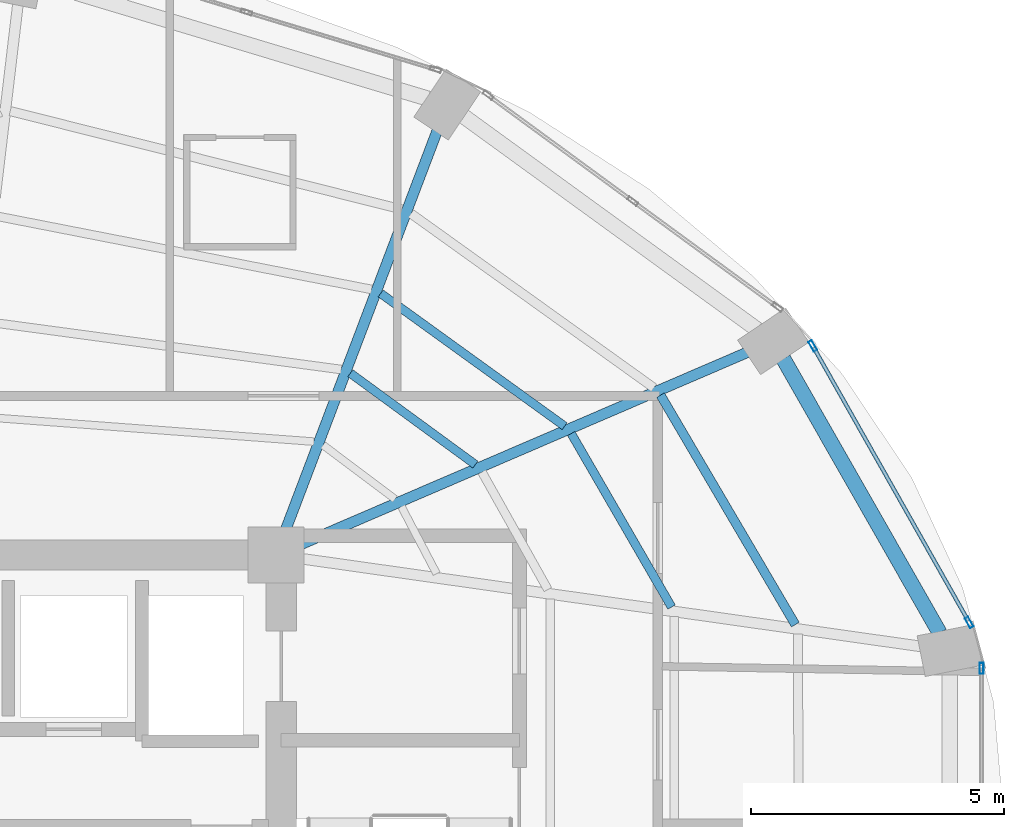
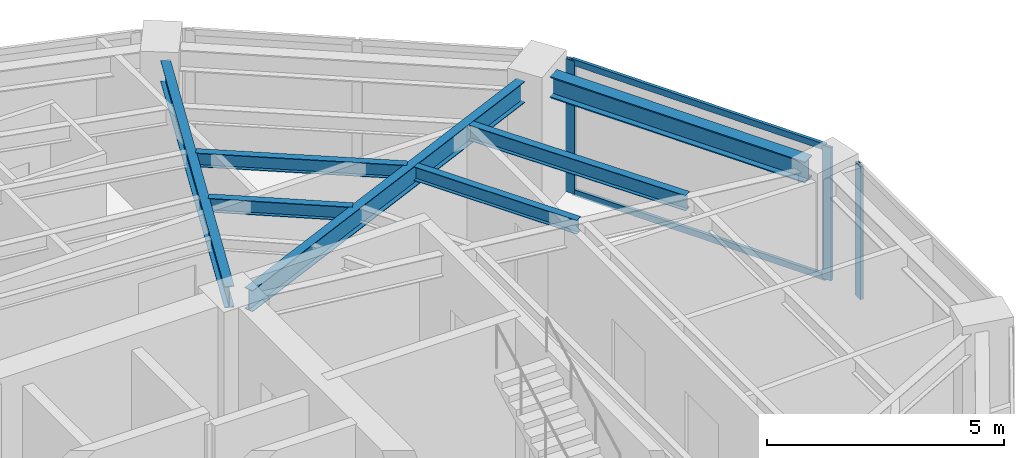
# One storey, part 11 of 20: 7 beams, 5 members, 2 elements without a shape of their own.
"""IFC4 building model written with IfcOpenShell, lengths in metres."""

import ifcopenshell
import ifcopenshell.guid

model = None  # the IFC model being written
_history = None  # IfcOwnerHistory: only IFC2X3 demands one
_inside = {}  # id of a spatial element -> (the spatial element, [elements in it])
_under = {}  # id of a project, library or spatial element -> (it, [spatial elements below it])
_declared = {}  # id of a project -> (the project, [libraries it declares])
_typed = {}  # id of a type object -> (the type object, [elements of that type])
_made_of = {}  # id of a material, layer set ... -> (it, [elements and type objects made of it])


def new_model(schema):
    """Start an empty IFC model of exactly this schema.

    Asked for "IFC4X3", IfcOpenShell would pick the latest addendum, in which some entities
    have other attributes; the version numbers below select the first issue.
    IFC2X3 requires an IfcOwnerHistory on every rooted entity: one is made here for all.
    """
    global model, _history
    if schema == "IFC4X3":
        model = ifcopenshell.file(schema_version=(4, 3, 0, 0))
    else:
        model = ifcopenshell.file(schema=schema)
    _inside.clear()
    _under.clear()
    _declared.clear()
    _typed.clear()
    _made_of.clear()
    _history = None
    if model.schema == "IFC2X3":
        org = make("IfcOrganization", Name="unknown")
        user = make(
            "IfcPersonAndOrganization",
            ThePerson=make("IfcPerson", FamilyName="unknown"),
            TheOrganization=org,
        )
        app = make(
            "IfcApplication",
            ApplicationDeveloper=org,
            Version="unknown",
            ApplicationFullName="unknown",
            ApplicationIdentifier="unknown",
        )
        _history = make(
            "IfcOwnerHistory",
            OwningUser=user,
            OwningApplication=app,
            ChangeAction="ADDED",
            CreationDate=0,
        )
    return model


def make(cls, **values):
    """One entity of the class cls with the attributes given. An attribute that is None is left unset."""
    return model.create_entity(
        cls, **{name: value for name, value in values.items() if value is not None}
    )


def rooted(cls, **values):
    """An entity with a GlobalId (a new one), such as an element, a storey or a relation."""
    return make(cls, GlobalId=ifcopenshell.guid.new(), OwnerHistory=_history, **values)


def si_unit(unit_type, name, prefix=None):
    """IfcSIUnit, for example si_unit("LENGTHUNIT", "METRE", prefix="MILLI")."""
    return make("IfcSIUnit", UnitType=unit_type, Prefix=prefix, Name=name)


def assignment(units):
    """IfcUnitAssignment: the units of a project."""
    return None if units is None else make("IfcUnitAssignment", Units=units)


def point(xyz):
    """IfcCartesianPoint."""
    return None if xyz is None else make("IfcCartesianPoint", Coordinates=xyz)


def direction(xyz):
    """IfcDirection."""
    return None if xyz is None else make("IfcDirection", DirectionRatios=xyz)


def frame(location, z_axis=None, x_axis=None):
    """IfcAxis2Placement3D, a coordinate frame: its origin and axes. An axis left out is left unset."""
    return make(
        "IfcAxis2Placement3D",
        Location=point(location),
        Axis=direction(z_axis),
        RefDirection=direction(x_axis),
    )


def frame_2d(location, x_axis=None):
    """IfcAxis2Placement2D, a coordinate frame in the plane: its origin and x axis."""
    return make(
        "IfcAxis2Placement2D", Location=point(location), RefDirection=direction(x_axis)
    )


def origin():
    """The frame at (0, 0, 0) with its axes left unset."""
    return frame((0.0, 0.0, 0.0))


def origin_2d():
    """The frame at (0, 0) in the plane with its x axis left unset."""
    return frame_2d((0.0, 0.0))


def place(relative_to, where):
    """IfcLocalPlacement: puts the frame where relative to a parent placement (None: the world)."""
    return make(
        "IfcLocalPlacement", PlacementRelTo=relative_to, RelativePlacement=where
    )


def context(
    kind, dimensions, precision=None, world=None, true_north=None, identifier=None
):
    """IfcGeometricRepresentationContext, for example the 3D "Model" context."""
    return make(
        "IfcGeometricRepresentationContext",
        ContextIdentifier=identifier,
        ContextType=kind,
        CoordinateSpaceDimension=dimensions,
        Precision=precision,
        WorldCoordinateSystem=world,
        TrueNorth=true_north,
    )


def subcontext(parent, identifier, kind, view, scale=None):
    """IfcGeometricRepresentationSubContext, for example "Body" below "Model"."""
    return make(
        "IfcGeometricRepresentationSubContext",
        ContextIdentifier=identifier,
        ContextType=kind,
        ParentContext=parent,
        TargetScale=scale,
        TargetView=view,
    )


def project(units=None, contexts=None):
    """IfcProject with its units and contexts."""
    return rooted(
        "IfcProject",
        Name="project",
        RepresentationContexts=contexts,
        UnitsInContext=assignment(units),
    )


def spatial(cls, under=None, at=None, **own):
    """A site, building, storey or space (cls), placed at a placement, below another one or the project."""
    s = rooted(cls, ObjectPlacement=at, **own)
    if under is not None:
        _under.setdefault(under.id(), (under, []))[1].append(s)
    return s


def profile(cls, at=None, kind="AREA", **sizes):
    """A parametric profile (cls). Its sizes go by their IFC names, for example OverallWidth=200.0."""
    return make(cls, ProfileType=kind, Position=at, **sizes)


def hollow_rectangle(**sizes):
    """IfcRectangleHollowProfileDef."""
    return profile("IfcRectangleHollowProfileDef", **sizes)


def i_section(**sizes):
    """IfcIShapeProfileDef."""
    return profile("IfcIShapeProfileDef", **sizes)


def extrude(swept, where, along, depth):
    """IfcExtrudedAreaSolid: the profile swept, set in the frame where, extruded along a direction by depth."""
    return make(
        "IfcExtrudedAreaSolid",
        SweptArea=swept,
        Position=where,
        ExtrudedDirection=direction(along),
        Depth=depth,
    )


def shape(context_of_items, identifier, shape_type, items):
    """IfcShapeRepresentation: the items that make up one representation, for example the "Body"."""
    return make(
        "IfcShapeRepresentation",
        ContextOfItems=context_of_items,
        RepresentationIdentifier=identifier,
        RepresentationType=shape_type,
        Items=items,
    )


def material(Name=None, Category=None):
    """IfcMaterial."""
    return make("IfcMaterial", Name=Name, Category=Category)


def layer(
    of_material, thickness, ventilated=None, Name=None, Category=None, Priority=None
):
    """IfcMaterialLayer: one layer of a wall or slab, of a material (None: an air gap)."""
    return make(
        "IfcMaterialLayer",
        Material=of_material,
        LayerThickness=thickness,
        IsVentilated=ventilated,
        Name=Name,
        Category=Category,
        Priority=Priority,
    )


def layer_set(layers, Name=None):
    """IfcMaterialLayerSet."""
    return make("IfcMaterialLayerSet", MaterialLayers=layers, LayerSetName=Name)


def material_profile(
    of_material, cross_section, Name=None, Category=None, Priority=None
):
    """IfcMaterialProfile: a cross section and its material."""
    return make(
        "IfcMaterialProfile",
        Name=Name,
        Material=of_material,
        Profile=cross_section,
        Priority=Priority,
        Category=Category,
    )


def profile_set(profiles, Name=None, composite=None):
    """IfcMaterialProfileSet."""
    return make(
        "IfcMaterialProfileSet",
        Name=Name,
        MaterialProfiles=profiles,
        CompositeProfile=composite,
    )


def made_of(thing, what):
    """Note that an element or type object is made of a material, layer set ...; save() writes the relation."""
    if what is not None:
        _made_of.setdefault(what.id(), (what, []))[1].append(thing)
    return thing


def type_object(cls, material=None, **own):
    """A type object (cls), such as IfcWallType, which elements share."""
    return made_of(rooted(cls, **own), material)


def element(
    cls,
    number,
    at=None,
    inside=None,
    cuts=None,
    type_object=None,
    material=None,
    context=None,
    identifier="Body",
    shape_type=None,
    held_by="IfcProductDefinitionShape",
    body=None,
    shapes=None,
    **own,
):
    """One element of the class cls, such as IfcWall. Its Tag is "e" and its number.

    at: its placement. inside: the storey or other place that contains it. cuts: it is an
    opening in that element (IfcRelVoidsElement). A single representation is given by context,
    identifier, shape_type and body (its items); several are given by shapes. held_by: the class
    of the entity that holds the representations. save() writes the other relations.
    """
    e = rooted(cls, Tag="e%d" % number, ObjectPlacement=at, **own)
    if body is not None:
        shapes = [shape(context, identifier, shape_type, body)]
    if shapes is not None:
        e.Representation = make(held_by, Representations=shapes)
    if inside is not None:
        _inside.setdefault(inside.id(), (inside, []))[1].append(e)
    if cuts is not None:
        rooted(
            "IfcRelVoidsElement", RelatingBuildingElement=cuts, RelatedOpeningElement=e
        )
    if type_object is not None:
        _typed.setdefault(type_object.id(), (type_object, []))[1].append(e)
    return made_of(e, material)


def aggregate(whole, parts):
    """IfcRelAggregates: a whole, such as a stair, and the parts it consists of."""
    return rooted("IfcRelAggregates", RelatingObject=whole, RelatedObjects=parts)


def save(model, path):
    """Write the relations noted so far, then the file.

    IfcRelAggregates (storeys below a building ...), IfcRelContainedInSpatialStructure (elements
    in a storey), IfcRelDefinesByType, IfcRelAssociatesMaterial and IfcRelDeclares: one each for
    every whole, place, type object, material and project.
    """
    for whole, parts in _under.values():
        aggregate(whole, parts)
    for where, things in _inside.values():
        rooted(
            "IfcRelContainedInSpatialStructure",
            RelatedElements=things,
            RelatingStructure=where,
        )
    for kind, things in _typed.values():
        rooted("IfcRelDefinesByType", RelatedObjects=things, RelatingType=kind)
    for what, things in _made_of.values():
        rooted("IfcRelAssociatesMaterial", RelatedObjects=things, RelatingMaterial=what)
    for by, libraries in _declared.values():
        rooted("IfcRelDeclares", RelatingContext=by, RelatedDefinitions=libraries)
    model.write(path)


model = new_model("IFC4")

# Units and contexts
model_context = context("Model", 3, precision=1e-05, world=origin(), true_north=direction((0.0, 1.0)))
body_context = subcontext(model_context, "Body", "Model", "MODEL_VIEW")
ifc_project = project(units=[si_unit("LENGTHUNIT", "METRE"), si_unit("AREAUNIT", "SQUARE_METRE"), si_unit("VOLUMEUNIT", "CUBIC_METRE"), si_unit("PLANEANGLEUNIT", "RADIAN"), si_unit("MASSUNIT", "GRAM", prefix="KILO")], contexts=[model_context])

# Site, building, storey
site_placement = place(None, origin())
site = spatial("IfcSite", under=ifc_project, at=site_placement, CompositionType="ELEMENT")
building_placement = place(site_placement, origin())
building = spatial("IfcBuilding", under=site, at=building_placement, Name="Lazwardi Medical Tower", CompositionType="ELEMENT")
storey_placement = place(building_placement, frame((0.0, 0.0, 141.93603515625)))
storey = spatial("IfcBuildingStorey", under=building, at=storey_placement, Name="L36", CompositionType="ELEMENT", Elevation=141.93603515625)

# Beams
ifc_material_1 = material(Name="Steel S355", Category="steel")
ifc_material_profile_1 = material_profile(ifc_material_1, i_section(OverallWidth=0.300048828125, OverallDepth=0.550048828125, WebThickness=0.014892578125, FlangeThickness=0.029052734375, at=origin_2d()), Name="HEB 550")
ifc_profile_set_1 = profile_set([ifc_material_profile_1], Name="Steel S355")
beam_type_1 = type_object("IfcBeamType", Name="BM-RB-Z3", PredefinedType="BEAM", material=ifc_profile_set_1)
beam_1_placement = place(storey_placement, frame((58.727783203125, 34.05908203125, 3.153076171875), z_axis=(-0.495460926326, 0.868630226554, 0.0), x_axis=(-0.868630226554, -0.495460926326, 0.0)))
element("IfcBeam", 1, at=beam_1_placement, inside=storey, type_object=beam_type_1, Name="Ring beam RB-04 B05 L36", PredefinedType="BEAM", context=body_context, shape_type="SweptSolid", body=[
    extrude(i_section(OverallWidth=0.300048828125, OverallDepth=0.550048828125, WebThickness=0.014892578125, FlangeThickness=0.029052734375, at=origin_2d()), origin(), (0.0, 0.0, 1.0), 6.24462890625),
])
ifc_material_profile_2 = material_profile(ifc_material_1, i_section(OverallWidth=0.2099609375, OverallDepth=0.550048828125, WebThickness=0.010986328125, FlangeThickness=0.01708984375, at=origin_2d()), Name="IPE 550")
ifc_profile_set_2 = profile_set([ifc_material_profile_2], Name="Steel S355")
beam_type_2 = type_object("IfcBeamType", Name="BM-RG-W2", PredefinedType="BEAM", material=ifc_profile_set_2)
beam_2_placement = place(storey_placement, frame((54.921142578125, 39.609619140625, 3.153076171875), z_axis=(-0.918608156288, -0.395169653695, 0.0), x_axis=(0.395169653695, -0.918608156288, 0.0)))
element("IfcBeam", 2, at=beam_2_placement, inside=storey, type_object=beam_type_2, Name="Radial girder RG-03 R06 L36", PredefinedType="BEAM", context=body_context, shape_type="SweptSolid", body=[
    extrude(i_section(OverallWidth=0.2099609375, OverallDepth=0.550048828125, WebThickness=0.010986328125, FlangeThickness=0.01708984375, at=origin_2d()), origin(), (0.0, 0.0, 1.0), 9.61181640625),
])
beam_3_placement = place(storey_placement, frame((48.78759765625, 43.99072265625, 3.153076171875), z_axis=(-0.355126771712, -0.934818151307, 0.0), x_axis=(0.934818151307, -0.355126771712, 0.0)))
element("IfcBeam", 3, at=beam_3_placement, inside=storey, type_object=beam_type_2, Name="Radial girder RG-03 R07 L36", PredefinedType="BEAM", context=body_context, shape_type="SweptSolid", body=[
    extrude(i_section(OverallWidth=0.2099609375, OverallDepth=0.550048828125, WebThickness=0.010986328125, FlangeThickness=0.01708984375, at=origin_2d()), origin(), (0.0, 0.0, 1.0), 8.44091796875),
])
ifc_material_profile_3 = material_profile(ifc_material_1, i_section(OverallWidth=0.179931640625, OverallDepth=0.39990234375, WebThickness=0.008544921875, FlangeThickness=0.013427734375, at=origin_2d()), Name="IPE 400")
ifc_profile_set_3 = profile_set([ifc_material_profile_3], Name="Steel S355")
beam_type_3 = type_object("IfcBeamType", Name="BM-SJ-01", PredefinedType="JOIST", material=ifc_profile_set_3)
beam_4_placement = place(storey_placement, frame((55.872314453125, 34.223388671875, 3.22802734375), z_axis=(-0.506420212881, 0.862286824662, 0.0), x_axis=(-0.862286824662, -0.506420212881, 0.0)))
element("IfcBeam", 4, at=beam_4_placement, inside=storey, type_object=beam_type_3, Name="Secondary joist SJ-01 R1 B05 L36", PredefinedType="JOIST", context=body_context, shape_type="SweptSolid", body=[
    extrude(i_section(OverallWidth=0.179931640625, OverallDepth=0.39990234375, WebThickness=0.008544921875, FlangeThickness=0.013427734375, at=origin_2d()), origin(), (0.0, 0.0, 1.0), 5.265380859375),
])
ifc_material_profile_4 = material_profile(ifc_material_1, i_section(OverallWidth=0.169921875, OverallDepth=0.360107421875, WebThickness=0.008056640625, FlangeThickness=0.0126953125, at=origin_2d()), Name="IPE 360")
ifc_profile_set_4 = profile_set([ifc_material_profile_4], Name="Steel S355")
beam_type_4 = type_object("IfcBeamType", Name="BM-SJ-02", PredefinedType="JOIST", material=ifc_profile_set_4)
beam_5_placement = place(storey_placement, frame((53.4248046875, 34.57080078125, 3.248046875), z_axis=(-0.500640648605, 0.865655209055, 0.0), x_axis=(-0.865655209055, -0.500640648605, 0.0)))
element("IfcBeam", 5, at=beam_5_placement, inside=storey, type_object=beam_type_4, Name="Secondary joist SJ-02 R2 B05 L36", PredefinedType="JOIST", context=body_context, shape_type="SweptSolid", body=[
    extrude(i_section(OverallWidth=0.169921875, OverallDepth=0.360107421875, WebThickness=0.008056640625, FlangeThickness=0.0126953125, at=origin_2d()), origin(), (0.0, 0.0, 1.0), 3.965576171875),
])
beam_6_placement = place(storey_placement, frame((51.30810546875, 38.148681640625, 3.248046875), z_axis=(-0.810738039179, 0.585409114917, 0.0), x_axis=(-0.585409114917, -0.810738039179, 0.0)))
element("IfcBeam", 6, at=beam_6_placement, inside=storey, type_object=beam_type_4, Name="Secondary joist SJ-02 R2 B06 L36", PredefinedType="JOIST", context=body_context, shape_type="SweptSolid", body=[
    extrude(i_section(OverallWidth=0.169921875, OverallDepth=0.360107421875, WebThickness=0.008056640625, FlangeThickness=0.0126953125, at=origin_2d()), origin(), (0.0, 0.0, 1.0), 4.48779296875),
])
beam_7_placement = place(storey_placement, frame((49.54248046875, 37.3896484375, 3.248046875), z_axis=(-0.807285959008, 0.590160470033, 0.0), x_axis=(-0.590160470033, -0.807285959008, 0.0)))
element("IfcBeam", 7, at=beam_7_placement, inside=storey, type_object=beam_type_4, Name="Secondary joist SJ-02 R3 B06 L36", PredefinedType="JOIST", context=body_context, shape_type="SweptSolid", body=[
    extrude(i_section(OverallWidth=0.169921875, OverallDepth=0.360107421875, WebThickness=0.008056640625, FlangeThickness=0.0126953125, at=origin_2d()), origin(), (0.0, 0.0, 1.0), 3.06298828125),
])

# Curtain wall, member
ifc_material_2 = material(Name="Anodised bronze aluminium and solar control glazing", Category="aluminium")
ifc_layer = layer(ifc_material_2, 0.195068359375)
ifc_layer_set = layer_set([ifc_layer], Name="Anodised bronze aluminium and solar control glazing")
curtain_wall_type = type_object("IfcCurtainWallType", Name="CW-SYS-03", PredefinedType="NOTDEFINED", material=ifc_layer_set)
curtain_wall_1_placement = place(storey_placement, origin())
curtain_wall_1 = element("IfcCurtainWall", 8, at=curtain_wall_1_placement, inside=storey, type_object=curtain_wall_type, Name="L36 Unitised bronze curtain wall CW-03", PredefinedType="NOTDEFINED")
ifc_material_3 = material(Name="Anodised bronze aluminium", Category="aluminium")
ifc_material_profile_5 = material_profile(ifc_material_3, hollow_rectangle(XDim=0.074951171875, YDim=0.219970703125, WallThickness=0.00390625, at=origin_2d()), Name="ALU-MULLION 220x75x4")
ifc_profile_set_5 = profile_set([ifc_material_profile_5], Name="Anodised bronze aluminium")
member_type_1 = type_object("IfcMemberType", Name="CW-MUL-01", PredefinedType="MULLION", material=ifc_profile_set_5)
member_1_placement = place(storey_placement, frame((59.5576171875, 33.35791015625, 0.0), z_axis=(0.0, 0.0, 1.0), x_axis=(-1.0, 0.0, 0.0)))
member_1 = element("IfcMember", 9, at=member_1_placement, type_object=member_type_1, Name="CW-03 mullion 2", PredefinedType="MULLION", context=body_context, shape_type="SweptSolid", body=[
    extrude(hollow_rectangle(XDim=0.074951171875, YDim=0.219970703125, WallThickness=0.00390625, at=origin_2d()), origin(), (0.0, 0.0, 1.0), 3.427978515625),
])
aggregate(curtain_wall_1, [member_1])

# Curtain wall, members
curtain_wall_2_placement = place(storey_placement, origin())
curtain_wall_2 = element("IfcCurtainWall", 10, at=curtain_wall_2_placement, inside=storey, type_object=curtain_wall_type, Name="L36 Unitised bronze curtain wall CW-03", PredefinedType="NOTDEFINED")
member_2_placement = place(storey_placement, frame((59.31103515625, 34.267333984375, 0.0), z_axis=(0.0, 0.0, 1.0), x_axis=(-0.870418989303, -0.492311672683, 0.0)))
member_2 = element("IfcMember", 11, at=member_2_placement, type_object=member_type_1, Name="CW-03 mullion 1", PredefinedType="MULLION", context=body_context, shape_type="SweptSolid", body=[
    extrude(hollow_rectangle(XDim=0.074951171875, YDim=0.219970703125, WallThickness=0.00390625, at=origin_2d()), origin(), (0.0, 0.0, 1.0), 3.427978515625),
])
member_3_placement = place(storey_placement, frame((56.217529296875, 39.73681640625, 0.0), z_axis=(0.0, 0.0, 1.0), x_axis=(-0.870418989303, -0.492311672683, 0.0)))
member_3 = element("IfcMember", 12, at=member_3_placement, type_object=member_type_1, Name="CW-03 mullion 2", PredefinedType="MULLION", context=body_context, shape_type="SweptSolid", body=[
    extrude(hollow_rectangle(XDim=0.074951171875, YDim=0.219970703125, WallThickness=0.00390625, at=origin_2d()), origin(), (0.0, 0.0, 1.0), 3.427978515625),
])
ifc_material_profile_6 = material_profile(ifc_material_3, hollow_rectangle(XDim=0.074951171875, YDim=0.159912109375, WallThickness=0.00390625, at=origin_2d()), Name="ALU-TRANSOM 160x75x4")
ifc_profile_set_6 = profile_set([ifc_material_profile_6], Name="Anodised bronze aluminium")
member_type_2 = type_object("IfcMemberType", Name="CW-TRN-01", PredefinedType="USERDEFINED", material=ifc_profile_set_6)
member_4_placement = place(storey_placement, frame((59.292724609375, 34.2998046875, 0.037353515625), z_axis=(-0.492306010269, 0.870422191958, 0.0), x_axis=(-0.870422191958, -0.492306010269, 0.0)))
member_4 = element("IfcMember", 13, at=member_4_placement, type_object=member_type_2, Name="CW-03 transom 1.1", ObjectType="TRANSOM", PredefinedType="USERDEFINED", context=body_context, shape_type="SweptSolid", body=[
    extrude(hollow_rectangle(XDim=0.074951171875, YDim=0.159912109375, WallThickness=0.00390625, at=origin_2d()), origin(), (0.0, 0.0, 1.0), 6.208740234375),
])
member_5_placement = place(storey_placement, frame((59.292724609375, 34.2998046875, 3.390380859375), z_axis=(-0.492306010269, 0.870422191958, 0.0), x_axis=(-0.870422191958, -0.492306010269, 0.0)))
member_5 = element("IfcMember", 14, at=member_5_placement, type_object=member_type_2, Name="CW-03 transom 1.2", ObjectType="TRANSOM", PredefinedType="USERDEFINED", context=body_context, shape_type="SweptSolid", body=[
    extrude(hollow_rectangle(XDim=0.074951171875, YDim=0.159912109375, WallThickness=0.00390625, at=origin_2d()), origin(), (0.0, 0.0, 1.0), 6.208740234375),
])
aggregate(curtain_wall_2, [member_2, member_3, member_4, member_5])

save(model, "model.ifc")
